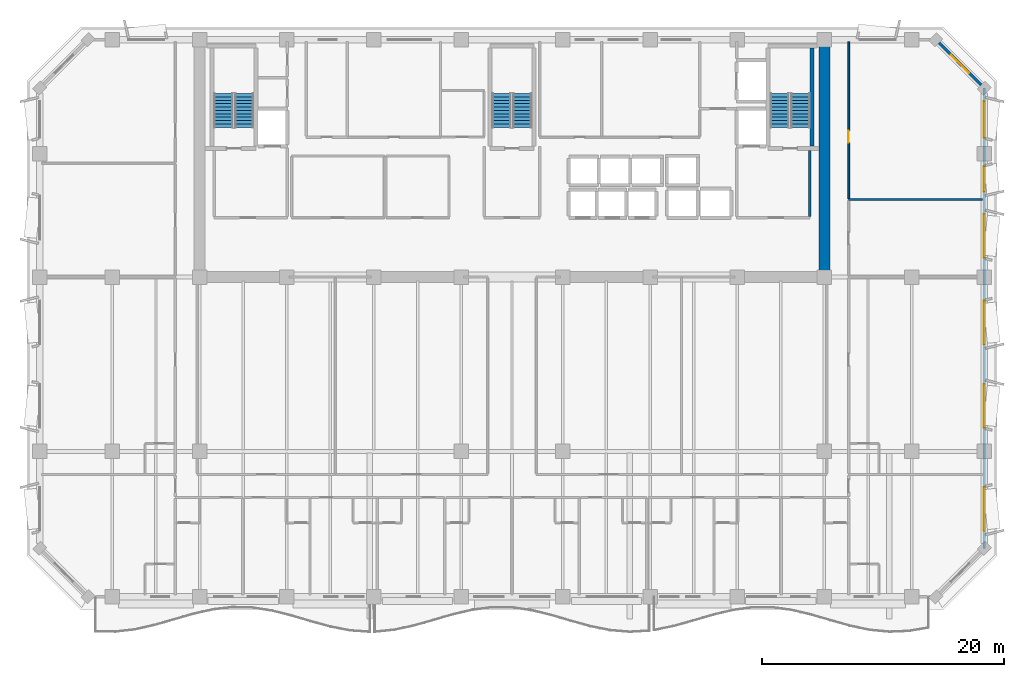
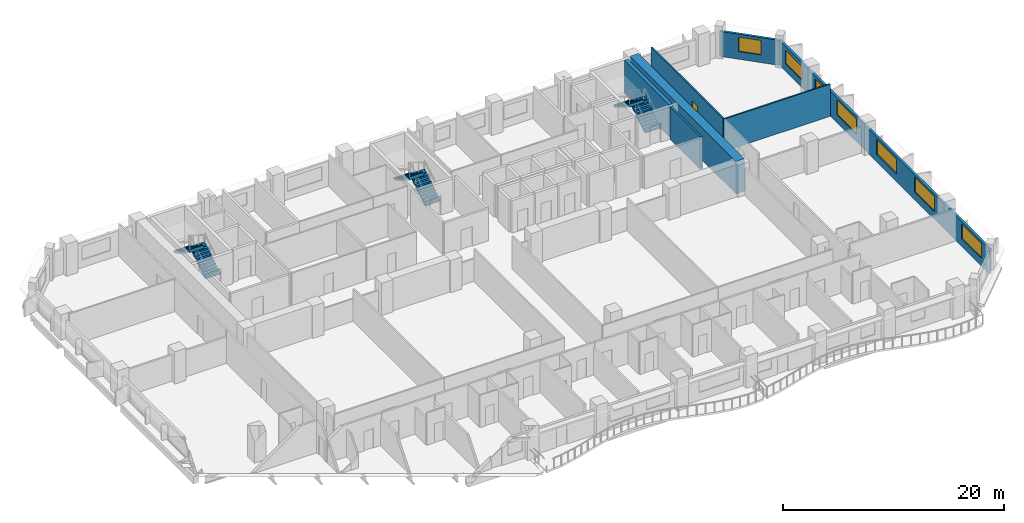
# One storey, part 10 of 15: 7 walls, 7 windows, 6 stair flights, 1 door, 8 openings, 3 elements without a shape of their own.
"""IFC4 building model written with IfcOpenShell, lengths in metres."""

from ifc_helpers import new_model, si_unit, direction, frame, frame_2d, origin, place, context, subcontext, project, spatial, polyline, rectangle, outline, extrude, material, layer, layer_set, type_object, element, fill, aggregate, save


model = new_model("IFC4")

# Units and contexts
model_context = context("Model", 3, precision=1e-05, world=origin(), true_north=direction((0.0, 1.0)))
body_context = subcontext(model_context, "Body", "Model", "MODEL_VIEW")
ifc_project = project(units=[si_unit("LENGTHUNIT", "METRE"), si_unit("AREAUNIT", "SQUARE_METRE"), si_unit("VOLUMEUNIT", "CUBIC_METRE"), si_unit("PLANEANGLEUNIT", "RADIAN"), si_unit("MASSUNIT", "GRAM", prefix="KILO")], contexts=[model_context])

# Site, building, storey
site_placement = place(None, origin())
site = spatial("IfcSite", under=ifc_project, at=site_placement, CompositionType="ELEMENT")
building_placement = place(site_placement, origin())
building = spatial("IfcBuilding", under=site, at=building_placement, Name="Kaelvorn Grand Hotel", CompositionType="ELEMENT")
storey_placement = place(building_placement, frame((0.0, 0.0, 146.75)))
storey = spatial("IfcBuildingStorey", under=building, at=storey_placement, Name="L35", CompositionType="ELEMENT", Elevation=146.75)

# Wall
ifc_material_1 = material(Name="Concrete C60/75", Category="concrete")
ifc_layer_1 = layer(ifc_material_1, 0.89990234375)
ifc_layer_set_1 = layer_set([ifc_layer_1], Name="Concrete C60/75")
wall_type_1 = type_object("IfcWallType", Name="WL-CORE-900-C60", PredefinedType="SHEAR", material=ifc_layer_set_1)
wall_1_placement = place(storey_placement, frame((67.800048828125, 29.39990234375, 0.0), z_axis=(0.0, 0.0, 1.0), x_axis=(0.0, 1.0, 0.0)))
element("IfcWall", 1, at=wall_1_placement, inside=storey, type_object=wall_type_1, Name="L35 Rear-Core East Shear Wall", PredefinedType="SHEAR", context=body_context, shape_type="SweptSolid", body=[
    extrude(rectangle(XDim=19.2001953125, YDim=0.89990234375, at=frame_2d((9.60009765625, 0.0))), origin(), (0.0, 0.0, 1.0), 3.56005859375),
])

# Wall, openings, windows
ifc_material_2 = material(Name="Concrete C40/50", Category="concrete")
ifc_layer_2 = layer(ifc_material_2, 0.239990234375)
ifc_layer_set_2 = layer_set([ifc_layer_2], Name="Concrete C40/50")
wall_type_2 = type_object("IfcWallType", Name="WL-EXT-240-C40", PredefinedType="SOLIDWALL", material=ifc_layer_set_2)
wall_2_placement = place(storey_placement, frame((81.0, 7.0, 0.0), z_axis=(0.0, 0.0, 1.0), x_axis=(0.0, 1.0, 0.0)))
wall_2 = element("IfcWall", 2, at=wall_2_placement, inside=storey, type_object=wall_type_2, Name="L35 Exterior Architectural Concrete Wall 03", PredefinedType="SOLIDWALL", context=body_context, shape_type="SweptSolid", body=[
    extrude(rectangle(XDim=38.0, YDim=0.239990234375, at=frame_2d((19.0, 0.0))), origin(), (0.0, 0.0, 1.0), 2.760009765625),
])
opening_1_placement = place(wall_2_placement, frame((1.449951171875, 0.0, 0.85009765625)))
opening_1 = element("IfcOpeningElement", 3, at=opening_1_placement, cuts=wall_2, Name="Opening W3", PredefinedType="OPENING", context=body_context, shape_type="SweptSolid", body=[
    extrude(rectangle(XDim=3.60009765625, YDim=1.64990234375, at=frame_2d((1.800048828125, 0.824951171875))), frame((0.0, 0.1298828125, 0.0), z_axis=(0.0, -1.0, 0.0), x_axis=(1.0, 0.0, 0.0)), (0.0, 0.0, 1.0), 0.260009765625),
])
opening_2_placement = place(wall_2_placement, frame((9.965087890625, 0.0, 0.85009765625)))
opening_2 = element("IfcOpeningElement", 4, at=opening_2_placement, cuts=wall_2, Name="Opening W3", PredefinedType="OPENING", context=body_context, shape_type="SweptSolid", body=[
    extrude(rectangle(XDim=3.60009765625, YDim=1.64990234375, at=frame_2d((1.800048828125, 0.824951171875))), frame((0.0, 0.1298828125, 0.0), z_axis=(0.0, -1.0, 0.0), x_axis=(1.0, 0.0, 0.0)), (0.0, 0.0, 1.0), 0.260009765625),
])
opening_3_placement = place(wall_2_placement, frame((16.8349609375, 0.0, 0.85009765625)))
opening_3 = element("IfcOpeningElement", 5, at=opening_3_placement, cuts=wall_2, Name="Opening W3", PredefinedType="OPENING", context=body_context, shape_type="SweptSolid", body=[
    extrude(rectangle(XDim=3.60009765625, YDim=1.64990234375, at=frame_2d((1.800048828125, 0.824951171875))), frame((0.0, 0.1298828125, 0.0), z_axis=(0.0, -1.0, 0.0), x_axis=(1.0, 0.0, 0.0)), (0.0, 0.0, 1.0), 0.260009765625),
])
opening_4_placement = place(wall_2_placement, frame((24.0, 0.0, 0.85009765625)))
opening_4 = element("IfcOpeningElement", 6, at=opening_4_placement, cuts=wall_2, Name="Opening W3", PredefinedType="OPENING", context=body_context, shape_type="SweptSolid", body=[
    extrude(rectangle(XDim=3.60009765625, YDim=1.64990234375, at=frame_2d((1.800048828125, 0.824951171875))), frame((0.0, 0.1298828125, 0.0), z_axis=(0.0, -1.0, 0.0), x_axis=(1.0, 0.0, 0.0)), (0.0, 0.0, 1.0), 0.260009765625),
])
opening_5_placement = place(wall_2_placement, frame((29.449951171875, 0.0, 0.85009765625)))
opening_5 = element("IfcOpeningElement", 7, at=opening_5_placement, cuts=wall_2, Name="Opening W7", PredefinedType="OPENING", context=body_context, shape_type="SweptSolid", body=[
    extrude(rectangle(XDim=2.10009765625, YDim=1.60009765625, at=frame_2d((1.050048828125, 0.800048828125))), frame((0.0, 0.1298828125, 0.0), z_axis=(0.0, -1.0, 0.0), x_axis=(1.0, 0.0, 0.0)), (0.0, 0.0, 1.0), 0.260009765625),
])
opening_6_placement = place(wall_2_placement, frame((33.9150390625, 0.0, 0.85009765625)))
opening_6 = element("IfcOpeningElement", 8, at=opening_6_placement, cuts=wall_2, Name="Opening W5", PredefinedType="OPENING", context=body_context, shape_type="SweptSolid", body=[
    extrude(rectangle(XDim=3.0, YDim=1.5, at=frame_2d((1.5, 0.75))), frame((0.0, 0.1298828125, 0.0), z_axis=(0.0, -1.0, 0.0), x_axis=(1.0, 0.0, 0.0)), (0.0, 0.0, 1.0), 0.260009765625),
])
ifc_material_3 = material(Name="Laminated Low-E Glass", Category="glass")
window_type_1 = type_object("IfcWindowType", Name="WIN-CHM-2100x1600", PartitioningType="SINGLE_PANEL", PredefinedType="WINDOW", material=ifc_material_3)
window_1_placement = place(opening_5_placement, origin())
window_1 = element("IfcWindow", 9, at=window_1_placement, inside=storey, type_object=window_type_1, Name="L35 E Wing Tilted-Frame Ribbon Window E05", OverallHeight=1.60009765625, OverallWidth=2.10009765625, PartitioningType="SINGLE_PANEL", PredefinedType="WINDOW", context=body_context, shape_type="SweptSolid", body=[
    extrude(rectangle(XDim=2.10009765625, YDim=1.60009765625, at=frame_2d((1.050048828125, 0.800048828125))), frame((0.0, 0.030029296875, 0.0), z_axis=(0.0, -1.0, 0.0), x_axis=(1.0, 0.0, 0.0)), (0.0, 0.0, 1.0), 0.06005859375),
])
fill(opening_5, window_1)
window_type_2 = type_object("IfcWindowType", Name="WIN-NTH-3000x1500", PartitioningType="SINGLE_PANEL", PredefinedType="WINDOW", material=ifc_material_3)
window_2_placement = place(opening_6_placement, origin())
window_2 = element("IfcWindow", 10, at=window_2_placement, inside=storey, type_object=window_type_2, Name="L35 E Wing Tilted-Frame Ribbon Window E06", OverallHeight=1.5, OverallWidth=3.0, PartitioningType="SINGLE_PANEL", PredefinedType="WINDOW", context=body_context, shape_type="SweptSolid", body=[
    extrude(rectangle(XDim=3.0, YDim=1.5, at=frame_2d((1.5, 0.75))), frame((0.0, 0.030029296875, 0.0), z_axis=(0.0, -1.0, 0.0), x_axis=(1.0, 0.0, 0.0)), (0.0, 0.0, 1.0), 0.06005859375),
])
fill(opening_6, window_2)
window_type_3 = type_object("IfcWindowType", Name="WIN-RIB-3600x1750", PartitioningType="SINGLE_PANEL", PredefinedType="WINDOW", material=ifc_material_3)
window_3_placement = place(opening_1_placement, origin())
window_3 = element("IfcWindow", 11, at=window_3_placement, inside=storey, type_object=window_type_3, Name="L35 E Wing Tilted-Frame Ribbon Window E01", OverallHeight=1.64990234375, OverallWidth=3.60009765625, PartitioningType="SINGLE_PANEL", PredefinedType="WINDOW", context=body_context, shape_type="SweptSolid", body=[
    extrude(rectangle(XDim=3.60009765625, YDim=1.64990234375, at=frame_2d((1.800048828125, 0.824951171875))), frame((0.0, 0.030029296875, 0.0), z_axis=(0.0, -1.0, 0.0), x_axis=(1.0, 0.0, 0.0)), (0.0, 0.0, 1.0), 0.06005859375),
])
fill(opening_1, window_3)
window_4_placement = place(opening_2_placement, origin())
window_4 = element("IfcWindow", 12, at=window_4_placement, inside=storey, type_object=window_type_3, Name="L35 E Wing Tilted-Frame Ribbon Window E02", OverallHeight=1.64990234375, OverallWidth=3.60009765625, PartitioningType="SINGLE_PANEL", PredefinedType="WINDOW", context=body_context, shape_type="SweptSolid", body=[
    extrude(rectangle(XDim=3.60009765625, YDim=1.64990234375, at=frame_2d((1.800048828125, 0.824951171875))), frame((0.0, 0.030029296875, 0.0), z_axis=(0.0, -1.0, 0.0), x_axis=(1.0, 0.0, 0.0)), (0.0, 0.0, 1.0), 0.06005859375),
])
fill(opening_2, window_4)
window_5_placement = place(opening_3_placement, origin())
window_5 = element("IfcWindow", 13, at=window_5_placement, inside=storey, type_object=window_type_3, Name="L35 E Wing Tilted-Frame Ribbon Window E03", OverallHeight=1.64990234375, OverallWidth=3.60009765625, PartitioningType="SINGLE_PANEL", PredefinedType="WINDOW", context=body_context, shape_type="SweptSolid", body=[
    extrude(rectangle(XDim=3.60009765625, YDim=1.64990234375, at=frame_2d((1.800048828125, 0.824951171875))), frame((0.0, 0.030029296875, 0.0), z_axis=(0.0, -1.0, 0.0), x_axis=(1.0, 0.0, 0.0)), (0.0, 0.0, 1.0), 0.06005859375),
])
fill(opening_3, window_5)
window_6_placement = place(opening_4_placement, origin())
window_6 = element("IfcWindow", 14, at=window_6_placement, inside=storey, type_object=window_type_3, Name="L35 E Wing Tilted-Frame Ribbon Window E04", OverallHeight=1.64990234375, OverallWidth=3.60009765625, PartitioningType="SINGLE_PANEL", PredefinedType="WINDOW", context=body_context, shape_type="SweptSolid", body=[
    extrude(rectangle(XDim=3.60009765625, YDim=1.64990234375, at=frame_2d((1.800048828125, 0.824951171875))), frame((0.0, 0.030029296875, 0.0), z_axis=(0.0, -1.0, 0.0), x_axis=(1.0, 0.0, 0.0)), (0.0, 0.0, 1.0), 0.06005859375),
])
fill(opening_4, window_6)

# Wall, opening, window
wall_3_placement = place(storey_placement, frame((81.0, 45.0, 0.0), z_axis=(0.0, 0.0, 1.0), x_axis=(-0.707106781187, 0.707106781187, 0.0)))
wall_3 = element("IfcWall", 15, at=wall_3_placement, inside=storey, type_object=wall_type_2, Name="L35 Exterior Architectural Concrete Wall 04", PredefinedType="SOLIDWALL", context=body_context, shape_type="SweptSolid", body=[
    extrude(rectangle(XDim=5.65673828125, YDim=0.239990234375, at=frame_2d((2.828369140625, 0.0))), origin(), (0.0, 0.0, 1.0), 2.760009765625),
])
opening_7_placement = place(wall_3_placement, frame((1.7783203125, 0.0, 0.85009765625)))
opening_7 = element("IfcOpeningElement", 16, at=opening_7_placement, cuts=wall_3, Name="Opening W7", PredefinedType="OPENING", context=body_context, shape_type="SweptSolid", body=[
    extrude(rectangle(XDim=2.10009765625, YDim=1.60009765625, at=frame_2d((1.050048828125, 0.800048828125))), frame((0.0, 0.1298828125, 0.0), z_axis=(0.0, -1.0, 0.0), x_axis=(1.0, 0.0, 0.0)), (0.0, 0.0, 1.0), 0.260009765625),
])
window_7_placement = place(opening_7_placement, origin())
window_7 = element("IfcWindow", 17, at=window_7_placement, inside=storey, type_object=window_type_1, Name="L35 Chamfered 45-Degree Corner Window NE", OverallHeight=1.60009765625, OverallWidth=2.10009765625, PartitioningType="SINGLE_PANEL", PredefinedType="WINDOW", context=body_context, shape_type="SweptSolid", body=[
    extrude(rectangle(XDim=2.10009765625, YDim=1.60009765625, at=frame_2d((1.050048828125, 0.800048828125))), frame((0.0, 0.030029296875, 0.0), z_axis=(0.0, -1.0, 0.0), x_axis=(1.0, 0.0, 0.0)), (0.0, 0.0, 1.0), 0.06005859375),
])
fill(opening_7, window_7)

# Wall
ifc_material_4 = material(Name="Acoustic Gypsum & Stud Partition")
ifc_layer_3 = layer(ifc_material_4, 0.14990234375)
ifc_layer_set_3 = layer_set([ifc_layer_3], Name="Acoustic Gypsum & Stud Partition")
wall_type_3 = type_object("IfcWallType", Name="WL-PART-150-EI60", PredefinedType="PARTITIONING", material=ifc_layer_set_3)
wall_4_placement = place(storey_placement, frame((69.800048828125, 35.800048828125, 0.0), z_axis=(0.0, 0.0, 1.0), x_axis=(1.0, 0.0, 0.0)))
element("IfcWall", 18, at=wall_4_placement, inside=storey, type_object=wall_type_3, Name="L35 North-East Wellness Fitness Gym N Partition", PredefinedType="PARTITIONING", context=body_context, shape_type="SweptSolid", body=[
    extrude(rectangle(XDim=11.050048828125, YDim=0.14990234375, at=frame_2d((5.52490234375, 0.0))), origin(), (0.0, 0.0, 1.0), 3.56005859375),
])

# Wall, opening, door
wall_5_placement = place(storey_placement, frame((69.800048828125, 35.8798828125, 0.0), z_axis=(0.0, 0.0, 1.0), x_axis=(0.0, 1.0, 0.0)))
wall_5 = element("IfcWall", 19, at=wall_5_placement, inside=storey, type_object=wall_type_3, Name="L35 North-East Private Dining Restaurant W Partition", PredefinedType="PARTITIONING", context=body_context, shape_type="SweptSolid", body=[
    extrude(rectangle(XDim=12.97021484375, YDim=0.14990234375, at=frame_2d((6.485107421875, 0.0))), origin(), (0.0, 0.0, 1.0), 3.56005859375),
])
opening_8_placement = place(wall_5_placement, frame((4.6201171875, 0.0, 0.0)))
opening_8 = element("IfcOpeningElement", 20, at=opening_8_placement, cuts=wall_5, Name="Opening DI3", PredefinedType="OPENING", context=body_context, shape_type="SweptSolid", body=[
    extrude(rectangle(XDim=1.0, YDim=2.14990234375, at=frame_2d((0.5, 1.074951171875))), frame((0.0, 0.0849609375, 0.0), z_axis=(0.0, -1.0, 0.0), x_axis=(1.0, 0.0, 0.0)), (0.0, 0.0, 1.0), 0.169921875),
])
ifc_material_5 = material(Name="Timber Veneer Fire Leaf", Category="wood")
door_type = type_object("IfcDoorType", Name="DR-INT-GUEST-1000x2150", OperationType="NOTDEFINED", PredefinedType="DOOR", material=ifc_material_5)
door_placement = place(opening_8_placement, origin())
door = element("IfcDoor", 21, at=door_placement, inside=storey, type_object=door_type, Name="L35 North-East Private Dining Restaurant Door", OperationType="SINGLE_SWING_RIGHT", OverallHeight=2.14990234375, OverallWidth=1.0, PredefinedType="DOOR", context=body_context, shape_type="SweptSolid", body=[
    extrude(rectangle(XDim=1.0, YDim=2.14990234375, at=frame_2d((0.5, 1.074951171875))), frame((0.0, 0.02490234375, 0.0), z_axis=(0.0, -1.0, 0.0), x_axis=(1.0, 0.0, 0.0)), (0.0, 0.0, 1.0), 0.050048828125),
])
fill(opening_8, door)

# Walls
ifc_layer_4 = layer(ifc_material_2, 0.219970703125)
ifc_layer_set_4 = layer_set([ifc_layer_4], Name="Concrete C40/50")
wall_type_4 = type_object("IfcWallType", Name="WL-PART-220-EI120", PredefinedType="PARTITIONING", material=ifc_layer_set_4)
wall_6_placement = place(storey_placement, frame((66.60009765625, 34.4150390625, 0.0), z_axis=(0.0, 0.0, 1.0), x_axis=(0.0, 1.0, 0.0)))
element("IfcWall", 22, at=wall_6_placement, inside=storey, type_object=wall_type_4, Name="L35 Firefighting Lift Lobby 2 E Partition", PredefinedType="PARTITIONING", context=body_context, shape_type="SweptSolid", body=[
    extrude(rectangle(XDim=5.429931640625, YDim=0.219970703125, at=frame_2d((2.71484375, 0.0))), origin(), (0.0, 0.0, 1.0), 3.56005859375),
])
ifc_layer_5 = layer(ifc_material_1, 0.35009765625)
ifc_layer_set_5 = layer_set([ifc_layer_5], Name="Concrete C60/75")
wall_type_5 = type_object("IfcWallType", Name="WL-SHAFT-350-C60", PredefinedType="SHEAR", material=ifc_layer_set_5)
wall_7_placement = place(storey_placement, frame((66.77490234375, 40.205078125, 0.0), z_axis=(0.0, 0.0, 1.0), x_axis=(0.0, 1.0, 0.0)))
element("IfcWall", 23, at=wall_7_placement, inside=storey, type_object=wall_type_5, Name="L35 ST3 Stair Shaft East Wall", PredefinedType="SHEAR", context=body_context, shape_type="SweptSolid", body=[
    extrude(rectangle(XDim=8.08984375, YDim=0.35009765625, at=frame_2d((4.044921875, 0.0))), origin(), (0.0, 0.0, 1.0), 3.56005859375),
])

# Stair, stair flights
stair_type = type_object("IfcStairType", Name="STR-DOG-1560-R08", PredefinedType="HALF_TURN_STAIR", material=ifc_material_2)
stair_1_placement = place(storey_placement, origin())
stair_1 = element("IfcStair", 24, at=stair_1_placement, inside=storey, type_object=stair_type, Name="L35 West Core Exit Stair ST1", PredefinedType="HALF_TURN_STAIR")
stair_flight_type = type_object("IfcStairFlightType", Name="FLG-DOG-1560-R08", PredefinedType="STRAIGHT", material=ifc_material_2)
stair_flight_1_placement = place(storey_placement, frame((19.89990234375, 41.760009765625, 0.0), z_axis=(0.0, 0.0, 1.0), x_axis=(0.0, 1.0, 0.0)))
stair_flight_1 = element("IfcStairFlight", 25, at=stair_flight_1_placement, type_object=stair_flight_type, Name="ST1 flight 1", NumberOfRisers=11, NumberOfTreads=10, PredefinedType="STRAIGHT", RiserHeight=0.172727273, TreadLength=0.28, context=body_context, shape_type="SweptSolid", body=[
    extrude(outline(polyline([(-0.0048828125, 0.0), (-0.0048828125, 0.0400390625), (0.0, 0.172607421875), (0.280029296875, 0.172607421875), (0.280029296875, 0.345458984375), (0.56005859375, 0.345458984375), (0.56005859375, 0.51806640625), (0.840087890625, 0.51806640625), (0.840087890625, 0.69091796875), (1.1201171875, 0.69091796875), (1.1201171875, 0.863525390625), (1.39990234375, 0.863525390625), (1.39990234375, 1.036376953125), (1.679931640625, 1.036376953125), (1.679931640625, 1.208984375), (1.9599609375, 1.208984375), (1.9599609375, 1.3818359375), (2.239990234375, 1.3818359375), (2.239990234375, 1.554443359375), (2.52001953125, 1.554443359375), (2.52001953125, 1.727294921875), (2.800048828125, 1.727294921875), (2.800048828125, 1.89990234375), (2.804931640625, 1.89990234375), (2.804931640625, 1.551025390625), (0.285400390625, 0.0), (-0.0048828125, 0.0)])), frame((0.0, 0.780029296875, 0.0), z_axis=(0.0, -1.0, 0.0), x_axis=(1.0, 0.0, 0.0)), (0.0, 0.0, 1.0), 1.56005859375),
])
stair_flight_2_placement = place(storey_placement, frame((18.179931640625, 44.56005859375, 1.89990234375), z_axis=(0.0, 0.0, 1.0), x_axis=(0.0, -1.0, 0.0)))
stair_flight_2 = element("IfcStairFlight", 26, at=stair_flight_2_placement, type_object=stair_flight_type, Name="ST1 flight 2", NumberOfRisers=11, NumberOfTreads=10, PredefinedType="STRAIGHT", RiserHeight=0.172727273, TreadLength=0.28, context=body_context, shape_type="SweptSolid", body=[
    extrude(outline(polyline([(-0.0048828125, 0.0), (-0.0048828125, 0.0400390625), (0.0, 0.172607421875), (0.280029296875, 0.172607421875), (0.280029296875, 0.345458984375), (0.56005859375, 0.345458984375), (0.56005859375, 0.51806640625), (0.840087890625, 0.51806640625), (0.840087890625, 0.69091796875), (1.1201171875, 0.69091796875), (1.1201171875, 0.863525390625), (1.39990234375, 0.863525390625), (1.39990234375, 1.036376953125), (1.679931640625, 1.036376953125), (1.679931640625, 1.208984375), (1.9599609375, 1.208984375), (1.9599609375, 1.3818359375), (2.239990234375, 1.3818359375), (2.239990234375, 1.554443359375), (2.52001953125, 1.554443359375), (2.52001953125, 1.727294921875), (2.800048828125, 1.727294921875), (2.800048828125, 1.89990234375), (2.804931640625, 1.89990234375), (2.804931640625, 1.551025390625), (0.285400390625, 0.0), (-0.0048828125, 0.0)])), frame((0.0, 0.780029296875, 0.0), z_axis=(0.0, -1.0, 0.0), x_axis=(1.0, 0.0, 0.0)), (0.0, 0.0, 1.0), 1.56005859375),
])
aggregate(stair_1, [stair_flight_1, stair_flight_2])

stair_2_placement = place(storey_placement, origin())
stair_2 = element("IfcStair", 27, at=stair_2_placement, inside=storey, type_object=stair_type, Name="L35 Central Core Exit Stair ST2", PredefinedType="HALF_TURN_STAIR")
stair_flight_3_placement = place(storey_placement, frame((42.860107421875, 41.760009765625, 0.0), z_axis=(0.0, 0.0, 1.0), x_axis=(0.0, 1.0, 0.0)))
stair_flight_3 = element("IfcStairFlight", 28, at=stair_flight_3_placement, type_object=stair_flight_type, Name="ST2 flight 1", NumberOfRisers=11, NumberOfTreads=10, PredefinedType="STRAIGHT", RiserHeight=0.172727273, TreadLength=0.28, context=body_context, shape_type="SweptSolid", body=[
    extrude(outline(polyline([(-0.0048828125, 0.0), (-0.0048828125, 0.0400390625), (0.0, 0.172607421875), (0.280029296875, 0.172607421875), (0.280029296875, 0.345458984375), (0.56005859375, 0.345458984375), (0.56005859375, 0.51806640625), (0.840087890625, 0.51806640625), (0.840087890625, 0.69091796875), (1.1201171875, 0.69091796875), (1.1201171875, 0.863525390625), (1.39990234375, 0.863525390625), (1.39990234375, 1.036376953125), (1.679931640625, 1.036376953125), (1.679931640625, 1.208984375), (1.9599609375, 1.208984375), (1.9599609375, 1.3818359375), (2.239990234375, 1.3818359375), (2.239990234375, 1.554443359375), (2.52001953125, 1.554443359375), (2.52001953125, 1.727294921875), (2.800048828125, 1.727294921875), (2.800048828125, 1.89990234375), (2.804931640625, 1.89990234375), (2.804931640625, 1.551025390625), (0.285400390625, 0.0), (-0.0048828125, 0.0)])), frame((0.0, 0.780029296875, 0.0), z_axis=(0.0, -1.0, 0.0), x_axis=(1.0, 0.0, 0.0)), (0.0, 0.0, 1.0), 1.56005859375),
])
stair_flight_4_placement = place(storey_placement, frame((41.139892578125, 44.56005859375, 1.89990234375), z_axis=(0.0, 0.0, 1.0), x_axis=(0.0, -1.0, 0.0)))
stair_flight_4 = element("IfcStairFlight", 29, at=stair_flight_4_placement, type_object=stair_flight_type, Name="ST2 flight 2", NumberOfRisers=11, NumberOfTreads=10, PredefinedType="STRAIGHT", RiserHeight=0.172727273, TreadLength=0.28, context=body_context, shape_type="SweptSolid", body=[
    extrude(outline(polyline([(-0.0048828125, 0.0), (-0.0048828125, 0.0400390625), (0.0, 0.172607421875), (0.280029296875, 0.172607421875), (0.280029296875, 0.345458984375), (0.56005859375, 0.345458984375), (0.56005859375, 0.51806640625), (0.840087890625, 0.51806640625), (0.840087890625, 0.69091796875), (1.1201171875, 0.69091796875), (1.1201171875, 0.863525390625), (1.39990234375, 0.863525390625), (1.39990234375, 1.036376953125), (1.679931640625, 1.036376953125), (1.679931640625, 1.208984375), (1.9599609375, 1.208984375), (1.9599609375, 1.3818359375), (2.239990234375, 1.3818359375), (2.239990234375, 1.554443359375), (2.52001953125, 1.554443359375), (2.52001953125, 1.727294921875), (2.800048828125, 1.727294921875), (2.800048828125, 1.89990234375), (2.804931640625, 1.89990234375), (2.804931640625, 1.551025390625), (0.285400390625, 0.0), (-0.0048828125, 0.0)])), frame((0.0, 0.780029296875, 0.0), z_axis=(0.0, -1.0, 0.0), x_axis=(1.0, 0.0, 0.0)), (0.0, 0.0, 1.0), 1.56005859375),
])
aggregate(stair_2, [stair_flight_3, stair_flight_4])

stair_3_placement = place(storey_placement, origin())
stair_3 = element("IfcStair", 30, at=stair_3_placement, inside=storey, type_object=stair_type, Name="L35 East Core Exit Stair ST3", PredefinedType="HALF_TURN_STAIR")
stair_flight_5_placement = place(storey_placement, frame((65.820068359375, 41.760009765625, 0.0), z_axis=(0.0, 0.0, 1.0), x_axis=(0.0, 1.0, 0.0)))
stair_flight_5 = element("IfcStairFlight", 31, at=stair_flight_5_placement, type_object=stair_flight_type, Name="ST3 flight 1", NumberOfRisers=11, NumberOfTreads=10, PredefinedType="STRAIGHT", RiserHeight=0.172727273, TreadLength=0.28, context=body_context, shape_type="SweptSolid", body=[
    extrude(outline(polyline([(-0.0048828125, 0.0), (-0.0048828125, 0.0400390625), (0.0, 0.172607421875), (0.280029296875, 0.172607421875), (0.280029296875, 0.345458984375), (0.56005859375, 0.345458984375), (0.56005859375, 0.51806640625), (0.840087890625, 0.51806640625), (0.840087890625, 0.69091796875), (1.1201171875, 0.69091796875), (1.1201171875, 0.863525390625), (1.39990234375, 0.863525390625), (1.39990234375, 1.036376953125), (1.679931640625, 1.036376953125), (1.679931640625, 1.208984375), (1.9599609375, 1.208984375), (1.9599609375, 1.3818359375), (2.239990234375, 1.3818359375), (2.239990234375, 1.554443359375), (2.52001953125, 1.554443359375), (2.52001953125, 1.727294921875), (2.800048828125, 1.727294921875), (2.800048828125, 1.89990234375), (2.804931640625, 1.89990234375), (2.804931640625, 1.551025390625), (0.285400390625, 0.0), (-0.0048828125, 0.0)])), frame((0.0, 0.780029296875, 0.0), z_axis=(0.0, -1.0, 0.0), x_axis=(1.0, 0.0, 0.0)), (0.0, 0.0, 1.0), 1.56005859375),
])
stair_flight_6_placement = place(storey_placement, frame((64.10009765625, 44.56005859375, 1.89990234375), z_axis=(0.0, 0.0, 1.0), x_axis=(0.0, -1.0, 0.0)))
stair_flight_6 = element("IfcStairFlight", 32, at=stair_flight_6_placement, type_object=stair_flight_type, Name="ST3 flight 2", NumberOfRisers=11, NumberOfTreads=10, PredefinedType="STRAIGHT", RiserHeight=0.172727273, TreadLength=0.28, context=body_context, shape_type="SweptSolid", body=[
    extrude(outline(polyline([(-0.0048828125, 0.0), (-0.0048828125, 0.0400390625), (0.0, 0.172607421875), (0.280029296875, 0.172607421875), (0.280029296875, 0.345458984375), (0.56005859375, 0.345458984375), (0.56005859375, 0.51806640625), (0.840087890625, 0.51806640625), (0.840087890625, 0.69091796875), (1.1201171875, 0.69091796875), (1.1201171875, 0.863525390625), (1.39990234375, 0.863525390625), (1.39990234375, 1.036376953125), (1.679931640625, 1.036376953125), (1.679931640625, 1.208984375), (1.9599609375, 1.208984375), (1.9599609375, 1.3818359375), (2.239990234375, 1.3818359375), (2.239990234375, 1.554443359375), (2.52001953125, 1.554443359375), (2.52001953125, 1.727294921875), (2.800048828125, 1.727294921875), (2.800048828125, 1.89990234375), (2.804931640625, 1.89990234375), (2.804931640625, 1.551025390625), (0.285400390625, 0.0), (-0.0048828125, 0.0)])), frame((0.0, 0.780029296875, 0.0), z_axis=(0.0, -1.0, 0.0), x_axis=(1.0, 0.0, 0.0)), (0.0, 0.0, 1.0), 1.56005859375),
])
aggregate(stair_3, [stair_flight_5, stair_flight_6])

save(model, "model.ifc")
